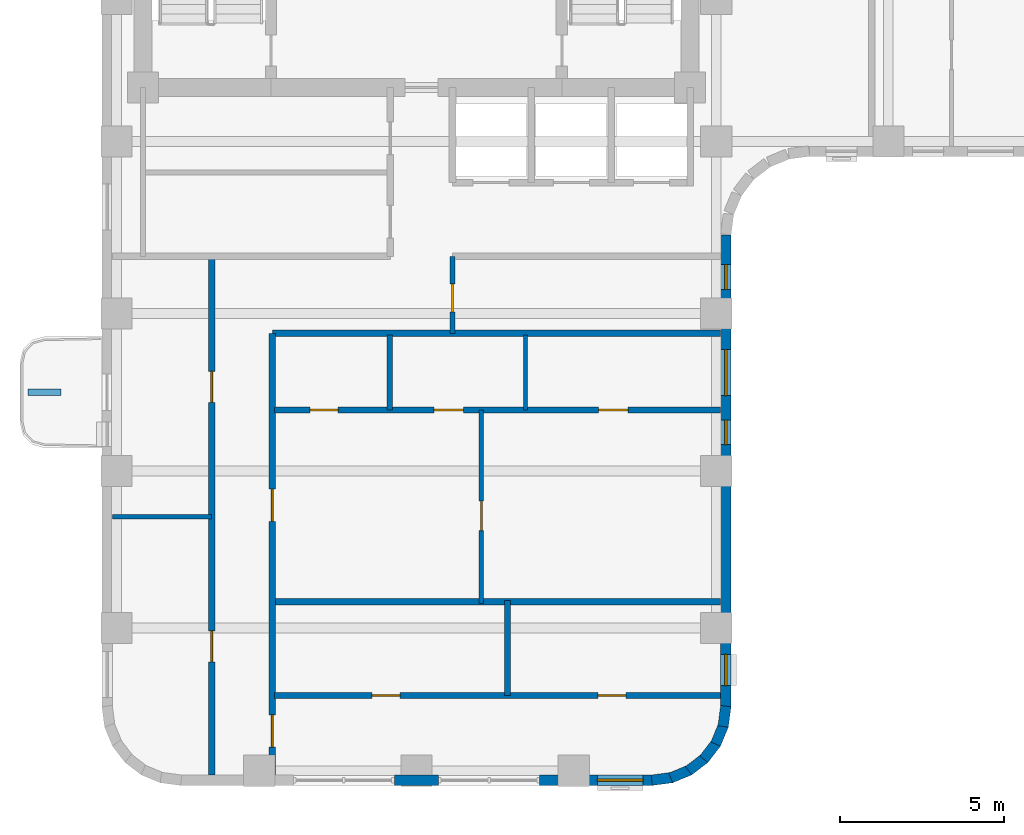
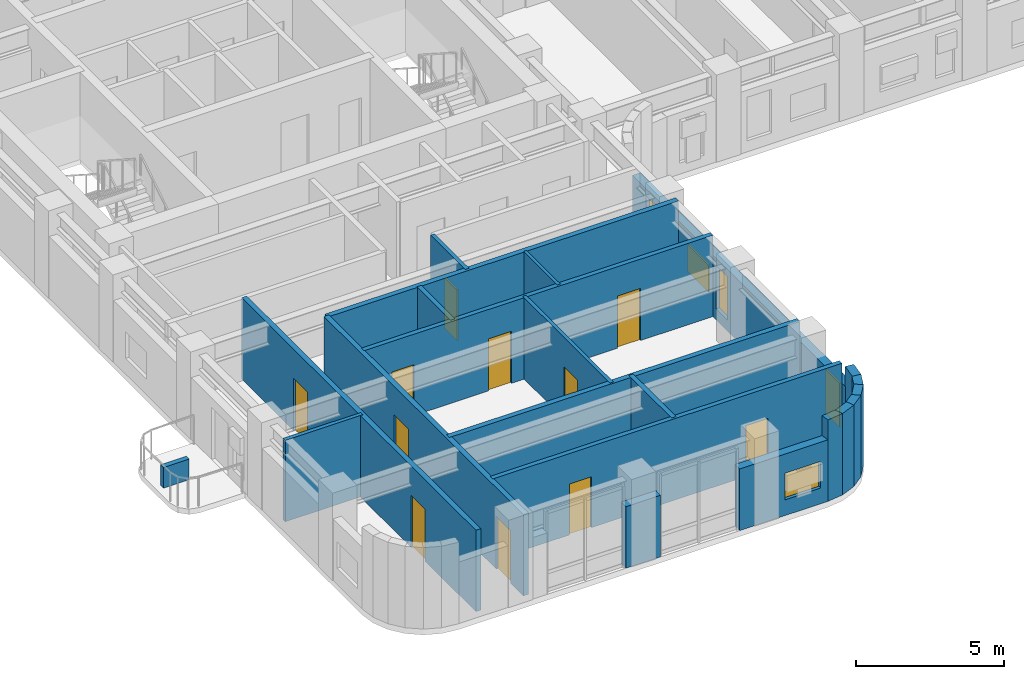
# One storey, part 4 of 11: 22 walls, 11 doors, 5 windows, 16 openings.
"""IFC4 building model written with IfcOpenShell, lengths in metres."""

import ifcopenshell
import ifcopenshell.guid

model = None  # the IFC model being written
_history = None  # IfcOwnerHistory: only IFC2X3 demands one
_inside = {}  # id of a spatial element -> (the spatial element, [elements in it])
_under = {}  # id of a project, library or spatial element -> (it, [spatial elements below it])
_declared = {}  # id of a project -> (the project, [libraries it declares])
_typed = {}  # id of a type object -> (the type object, [elements of that type])
_made_of = {}  # id of a material, layer set ... -> (it, [elements and type objects made of it])


def new_model(schema):
    """Start an empty IFC model of exactly this schema.

    Asked for "IFC4X3", IfcOpenShell would pick the latest addendum, in which some entities
    have other attributes; the version numbers below select the first issue.
    IFC2X3 requires an IfcOwnerHistory on every rooted entity: one is made here for all.
    """
    global model, _history
    if schema == "IFC4X3":
        model = ifcopenshell.file(schema_version=(4, 3, 0, 0))
    else:
        model = ifcopenshell.file(schema=schema)
    _inside.clear()
    _under.clear()
    _declared.clear()
    _typed.clear()
    _made_of.clear()
    _history = None
    if model.schema == "IFC2X3":
        org = make("IfcOrganization", Name="unknown")
        user = make(
            "IfcPersonAndOrganization",
            ThePerson=make("IfcPerson", FamilyName="unknown"),
            TheOrganization=org,
        )
        app = make(
            "IfcApplication",
            ApplicationDeveloper=org,
            Version="unknown",
            ApplicationFullName="unknown",
            ApplicationIdentifier="unknown",
        )
        _history = make(
            "IfcOwnerHistory",
            OwningUser=user,
            OwningApplication=app,
            ChangeAction="ADDED",
            CreationDate=0,
        )
    return model


def make(cls, **values):
    """One entity of the class cls with the attributes given. An attribute that is None is left unset."""
    return model.create_entity(
        cls, **{name: value for name, value in values.items() if value is not None}
    )


def rooted(cls, **values):
    """An entity with a GlobalId (a new one), such as an element, a storey or a relation."""
    return make(cls, GlobalId=ifcopenshell.guid.new(), OwnerHistory=_history, **values)


def si_unit(unit_type, name, prefix=None):
    """IfcSIUnit, for example si_unit("LENGTHUNIT", "METRE", prefix="MILLI")."""
    return make("IfcSIUnit", UnitType=unit_type, Prefix=prefix, Name=name)


def assignment(units):
    """IfcUnitAssignment: the units of a project."""
    return None if units is None else make("IfcUnitAssignment", Units=units)


def point(xyz):
    """IfcCartesianPoint."""
    return None if xyz is None else make("IfcCartesianPoint", Coordinates=xyz)


def direction(xyz):
    """IfcDirection."""
    return None if xyz is None else make("IfcDirection", DirectionRatios=xyz)


def frame(location, z_axis=None, x_axis=None):
    """IfcAxis2Placement3D, a coordinate frame: its origin and axes. An axis left out is left unset."""
    return make(
        "IfcAxis2Placement3D",
        Location=point(location),
        Axis=direction(z_axis),
        RefDirection=direction(x_axis),
    )


def frame_2d(location, x_axis=None):
    """IfcAxis2Placement2D, a coordinate frame in the plane: its origin and x axis."""
    return make(
        "IfcAxis2Placement2D", Location=point(location), RefDirection=direction(x_axis)
    )


def origin():
    """The frame at (0, 0, 0) with its axes left unset."""
    return frame((0.0, 0.0, 0.0))


def place(relative_to, where):
    """IfcLocalPlacement: puts the frame where relative to a parent placement (None: the world)."""
    return make(
        "IfcLocalPlacement", PlacementRelTo=relative_to, RelativePlacement=where
    )


def context(
    kind, dimensions, precision=None, world=None, true_north=None, identifier=None
):
    """IfcGeometricRepresentationContext, for example the 3D "Model" context."""
    return make(
        "IfcGeometricRepresentationContext",
        ContextIdentifier=identifier,
        ContextType=kind,
        CoordinateSpaceDimension=dimensions,
        Precision=precision,
        WorldCoordinateSystem=world,
        TrueNorth=true_north,
    )


def subcontext(parent, identifier, kind, view, scale=None):
    """IfcGeometricRepresentationSubContext, for example "Body" below "Model"."""
    return make(
        "IfcGeometricRepresentationSubContext",
        ContextIdentifier=identifier,
        ContextType=kind,
        ParentContext=parent,
        TargetScale=scale,
        TargetView=view,
    )


def project(units=None, contexts=None):
    """IfcProject with its units and contexts."""
    return rooted(
        "IfcProject",
        Name="project",
        RepresentationContexts=contexts,
        UnitsInContext=assignment(units),
    )


def spatial(cls, under=None, at=None, **own):
    """A site, building, storey or space (cls), placed at a placement, below another one or the project."""
    s = rooted(cls, ObjectPlacement=at, **own)
    if under is not None:
        _under.setdefault(under.id(), (under, []))[1].append(s)
    return s


def profile(cls, at=None, kind="AREA", **sizes):
    """A parametric profile (cls). Its sizes go by their IFC names, for example OverallWidth=200.0."""
    return make(cls, ProfileType=kind, Position=at, **sizes)


def rectangle(**sizes):
    """IfcRectangleProfileDef."""
    return profile("IfcRectangleProfileDef", **sizes)


def extrude(swept, where, along, depth):
    """IfcExtrudedAreaSolid: the profile swept, set in the frame where, extruded along a direction by depth."""
    return make(
        "IfcExtrudedAreaSolid",
        SweptArea=swept,
        Position=where,
        ExtrudedDirection=direction(along),
        Depth=depth,
    )


def shape(context_of_items, identifier, shape_type, items):
    """IfcShapeRepresentation: the items that make up one representation, for example the "Body"."""
    return make(
        "IfcShapeRepresentation",
        ContextOfItems=context_of_items,
        RepresentationIdentifier=identifier,
        RepresentationType=shape_type,
        Items=items,
    )


def material(Name=None, Category=None):
    """IfcMaterial."""
    return make("IfcMaterial", Name=Name, Category=Category)


def layer(
    of_material, thickness, ventilated=None, Name=None, Category=None, Priority=None
):
    """IfcMaterialLayer: one layer of a wall or slab, of a material (None: an air gap)."""
    return make(
        "IfcMaterialLayer",
        Material=of_material,
        LayerThickness=thickness,
        IsVentilated=ventilated,
        Name=Name,
        Category=Category,
        Priority=Priority,
    )


def layer_set(layers, Name=None):
    """IfcMaterialLayerSet."""
    return make("IfcMaterialLayerSet", MaterialLayers=layers, LayerSetName=Name)


def made_of(thing, what):
    """Note that an element or type object is made of a material, layer set ...; save() writes the relation."""
    if what is not None:
        _made_of.setdefault(what.id(), (what, []))[1].append(thing)
    return thing


def type_object(cls, material=None, **own):
    """A type object (cls), such as IfcWallType, which elements share."""
    return made_of(rooted(cls, **own), material)


def element(
    cls,
    number,
    at=None,
    inside=None,
    cuts=None,
    type_object=None,
    material=None,
    context=None,
    identifier="Body",
    shape_type=None,
    held_by="IfcProductDefinitionShape",
    body=None,
    shapes=None,
    **own,
):
    """One element of the class cls, such as IfcWall. Its Tag is "e" and its number.

    at: its placement. inside: the storey or other place that contains it. cuts: it is an
    opening in that element (IfcRelVoidsElement). A single representation is given by context,
    identifier, shape_type and body (its items); several are given by shapes. held_by: the class
    of the entity that holds the representations. save() writes the other relations.
    """
    e = rooted(cls, Tag="e%d" % number, ObjectPlacement=at, **own)
    if body is not None:
        shapes = [shape(context, identifier, shape_type, body)]
    if shapes is not None:
        e.Representation = make(held_by, Representations=shapes)
    if inside is not None:
        _inside.setdefault(inside.id(), (inside, []))[1].append(e)
    if cuts is not None:
        rooted(
            "IfcRelVoidsElement", RelatingBuildingElement=cuts, RelatedOpeningElement=e
        )
    if type_object is not None:
        _typed.setdefault(type_object.id(), (type_object, []))[1].append(e)
    return made_of(e, material)


def fill(opening, filler):
    """IfcRelFillsElement: the door or window that sits in an opening."""
    return rooted(
        "IfcRelFillsElement",
        RelatingOpeningElement=opening,
        RelatedBuildingElement=filler,
    )


def aggregate(whole, parts):
    """IfcRelAggregates: a whole, such as a stair, and the parts it consists of."""
    return rooted("IfcRelAggregates", RelatingObject=whole, RelatedObjects=parts)


def save(model, path):
    """Write the relations noted so far, then the file.

    IfcRelAggregates (storeys below a building ...), IfcRelContainedInSpatialStructure (elements
    in a storey), IfcRelDefinesByType, IfcRelAssociatesMaterial and IfcRelDeclares: one each for
    every whole, place, type object, material and project.
    """
    for whole, parts in _under.values():
        aggregate(whole, parts)
    for where, things in _inside.values():
        rooted(
            "IfcRelContainedInSpatialStructure",
            RelatedElements=things,
            RelatingStructure=where,
        )
    for kind, things in _typed.values():
        rooted("IfcRelDefinesByType", RelatedObjects=things, RelatingType=kind)
    for what, things in _made_of.values():
        rooted("IfcRelAssociatesMaterial", RelatedObjects=things, RelatingMaterial=what)
    for by, libraries in _declared.values():
        rooted("IfcRelDeclares", RelatingContext=by, RelatedDefinitions=libraries)
    model.write(path)


model = new_model("IFC4")

# Units and contexts
model_context = context("Model", 3, precision=1e-05, world=origin(), true_north=direction((0.0, 1.0)))
body_context = subcontext(model_context, "Body", "Model", "MODEL_VIEW")
ifc_project = project(units=[si_unit("LENGTHUNIT", "METRE"), si_unit("AREAUNIT", "SQUARE_METRE"), si_unit("VOLUMEUNIT", "CUBIC_METRE"), si_unit("PLANEANGLEUNIT", "RADIAN"), si_unit("MASSUNIT", "GRAM", prefix="KILO")], contexts=[model_context])

# Site, building, storey
site_placement = place(None, origin())
site = spatial("IfcSite", under=ifc_project, at=site_placement, CompositionType="ELEMENT")
building_placement = place(site_placement, origin())
building = spatial("IfcBuilding", under=site, at=building_placement, Name="Orvandelia Arch Residences", CompositionType="ELEMENT")
storey_placement = place(building_placement, frame((0.0, 0.0, 146.800048828125)))
storey = spatial("IfcBuildingStorey", under=building, at=storey_placement, Name="L38", CompositionType="ELEMENT", Elevation=146.800048828125)

# Wall, openings, doors
ifc_material_1 = material(Name="Fire-Rated Corridor Partition")
ifc_layer_1 = layer(ifc_material_1, 0.199951171875, Name="Fire-Rated Corridor Partition")
ifc_layer_set_1 = layer_set([ifc_layer_1], Name="Fire-Rated Corridor Partition")
wall_type_1 = type_object("IfcWallType", Name="WL-CORR-200", PredefinedType="PARTITIONING", material=ifc_layer_set_1)
wall_1_placement = place(storey_placement, frame((8.14990234375, 9.919921875, 0.0), z_axis=(0.0, 0.0, 1.0), x_axis=(0.0, 1.0, 0.0)))
wall_1 = element("IfcWall", 1, at=wall_1_placement, inside=storey, type_object=wall_type_1, Name="Interior Partition Wall WL-L38-WC-W", PredefinedType="PARTITIONING", context=body_context, shape_type="SweptSolid", body=[
    extrude(rectangle(XDim=15.830078125, YDim=0.199951171875, at=frame_2d((7.9150390625, 0.0))), origin(), (0.0, 0.0, 1.0), 3.35986328125),
])
opening_1_placement = place(wall_1_placement, frame((3.449951171875, 0.0, 0.0)))
opening_1 = element("IfcOpeningElement", 2, at=opening_1_placement, cuts=wall_1, Name="Opening D2", PredefinedType="OPENING", context=body_context, shape_type="SweptSolid", body=[
    extrude(rectangle(XDim=0.949951171875, YDim=2.14990234375, at=frame_2d((0.47509765625, 1.074951171875))), frame((0.0, 0.10986328125, 0.0), z_axis=(0.0, -1.0, 0.0), x_axis=(1.0, 0.0, 0.0)), (0.0, 0.0, 1.0), 0.219970703125),
])
opening_2_placement = place(wall_1_placement, frame((11.3701171875, 0.0, 0.0)))
opening_2 = element("IfcOpeningElement", 3, at=opening_2_placement, cuts=wall_1, Name="Opening D2", PredefinedType="OPENING", context=body_context, shape_type="SweptSolid", body=[
    extrude(rectangle(XDim=0.949951171875, YDim=2.14990234375, at=frame_2d((0.47509765625, 1.074951171875))), frame((0.0, 0.10986328125, 0.0), z_axis=(0.0, -1.0, 0.0), x_axis=(1.0, 0.0, 0.0)), (0.0, 0.0, 1.0), 0.219970703125),
])
ifc_material_2 = material(Name="Solid-Core Timber Interior Fire Door", Category="wood")
door_type_1 = type_object("IfcDoorType", Name="DR-APT-950", OperationType="NOTDEFINED", PredefinedType="DOOR", material=ifc_material_2)
door_1_placement = place(opening_1_placement, origin())
door_1 = element("IfcDoor", 4, at=door_1_placement, inside=storey, type_object=door_type_1, Name="DR-L38-WGRM-1", OperationType="SINGLE_SWING_LEFT", OverallHeight=2.14990234375, OverallWidth=0.949951171875, PredefinedType="DOOR", context=body_context, shape_type="SweptSolid", body=[
    extrude(rectangle(XDim=0.949951171875, YDim=2.14990234375, at=frame_2d((0.47509765625, 1.074951171875))), frame((0.0, 0.02490234375, 0.0), z_axis=(0.0, -1.0, 0.0), x_axis=(1.0, 0.0, 0.0)), (0.0, 0.0, 1.0), 0.050048828125),
])
fill(opening_1, door_1)
door_2_placement = place(opening_2_placement, origin())
door_2 = element("IfcDoor", 5, at=door_2_placement, inside=storey, type_object=door_type_1, Name="DR-L38-WGRM-2", OperationType="SINGLE_SWING_RIGHT", OverallHeight=2.14990234375, OverallWidth=0.949951171875, PredefinedType="DOOR", context=body_context, shape_type="SweptSolid", body=[
    extrude(rectangle(XDim=0.949951171875, YDim=2.14990234375, at=frame_2d((0.47509765625, 1.074951171875))), frame((0.0, 0.02490234375, 0.0), z_axis=(0.0, -1.0, 0.0), x_axis=(1.0, 0.0, 0.0)), (0.0, 0.0, 1.0), 0.050048828125),
])
fill(opening_2, door_2)

wall_2_placement = place(storey_placement, frame((10.0, 9.919921875, 0.0), z_axis=(0.0, 0.0, 1.0), x_axis=(0.0, 1.0, 0.0)))
wall_2 = element("IfcWall", 6, at=wall_2_placement, inside=storey, type_object=wall_type_1, Name="Interior Partition Wall WL-L38-WC-E", PredefinedType="PARTITIONING", context=body_context, shape_type="SweptSolid", body=[
    extrude(rectangle(XDim=13.47998046875, YDim=0.199951171875, at=frame_2d((6.739990234375, 0.0))), origin(), (0.0, 0.0, 1.0), 3.35986328125),
])
opening_3_placement = place(wall_2_placement, frame((0.85107421875, 0.0, 0.0)))
opening_3 = element("IfcOpeningElement", 7, at=opening_3_placement, cuts=wall_2, Name="Opening D1", PredefinedType="OPENING", context=body_context, shape_type="SweptSolid", body=[
    extrude(rectangle(XDim=0.97998046875, YDim=2.179931640625, at=frame_2d((0.489990234375, 1.08984375))), frame((0.0, 0.10986328125, 0.0), z_axis=(0.0, -1.0, 0.0), x_axis=(1.0, 0.0, 0.0)), (0.0, 0.0, 1.0), 0.219970703125),
])
opening_4_placement = place(wall_2_placement, frame((7.739990234375, 0.0, 0.0)))
opening_4 = element("IfcOpeningElement", 8, at=opening_4_placement, cuts=wall_2, Name="Opening D1", PredefinedType="OPENING", context=body_context, shape_type="SweptSolid", body=[
    extrude(rectangle(XDim=0.97998046875, YDim=2.179931640625, at=frame_2d((0.489990234375, 1.08984375))), frame((0.0, 0.10986328125, 0.0), z_axis=(0.0, -1.0, 0.0), x_axis=(1.0, 0.0, 0.0)), (0.0, 0.0, 1.0), 0.219970703125),
])
ifc_material_3 = material(Name="Solid-Core Timber Acoustic Fire Door", Category="wood")
door_type_2 = type_object("IfcDoorType", Name="DR-ENT-980", OperationType="NOTDEFINED", PredefinedType="DOOR", material=ifc_material_3)
door_3_placement = place(opening_3_placement, origin())
door_3 = element("IfcDoor", 9, at=door_3_placement, inside=storey, type_object=door_type_2, Name="Unit L38-01 Entrance Door", OperationType="SINGLE_SWING_LEFT", OverallHeight=2.179931640625, OverallWidth=0.97998046875, PredefinedType="DOOR", context=body_context, shape_type="SweptSolid", body=[
    extrude(rectangle(XDim=0.97998046875, YDim=2.179931640625, at=frame_2d((0.489990234375, 1.08984375))), frame((0.0, 0.02490234375, 0.0), z_axis=(0.0, -1.0, 0.0), x_axis=(1.0, 0.0, 0.0)), (0.0, 0.0, 1.0), 0.050048828125),
])
fill(opening_3, door_3)
door_4_placement = place(opening_4_placement, origin())
door_4 = element("IfcDoor", 10, at=door_4_placement, inside=storey, type_object=door_type_2, Name="Unit L38-02 Entrance Door", OperationType="SINGLE_SWING_RIGHT", OverallHeight=2.179931640625, OverallWidth=0.97998046875, PredefinedType="DOOR", context=body_context, shape_type="SweptSolid", body=[
    extrude(rectangle(XDim=0.97998046875, YDim=2.179931640625, at=frame_2d((0.489990234375, 1.08984375))), frame((0.0, 0.02490234375, 0.0), z_axis=(0.0, -1.0, 0.0), x_axis=(1.0, 0.0, 0.0)), (0.0, 0.0, 1.0), 0.050048828125),
])
fill(opening_4, door_4)

# Walls
wall_3_placement = place(storey_placement, frame((10.0, 23.39990234375, 0.0), z_axis=(0.0, 0.0, 1.0), x_axis=(1.0, 0.0, 0.0)))
element("IfcWall", 11, at=wall_3_placement, inside=storey, type_object=wall_type_1, Name="Interior Partition Wall WL-L38-WLNK-S", PredefinedType="PARTITIONING", context=body_context, shape_type="SweptSolid", body=[
    extrude(rectangle(XDim=13.679931640625, YDim=0.199951171875, at=frame_2d((6.83984375, 0.0))), origin(), (0.0, 0.0, 1.0), 3.35986328125),
])
ifc_material_4 = material(Name="Concrete C40/50", Category="concrete")
ifc_layer_2 = layer(ifc_material_4, 0.199951171875, Name="Concrete C40/50", Category="concrete")
ifc_layer_set_2 = layer_set([ifc_layer_2], Name="Concrete C40/50")
wall_type_2 = type_object("IfcWallType", Name="WL-DEM-200", PredefinedType="SOLIDWALL", material=ifc_layer_set_2)
wall_4_placement = place(storey_placement, frame((10.0, 15.199951171875, 0.0), z_axis=(0.0, 0.0, 1.0), x_axis=(1.0, 0.0, 0.0)))
element("IfcWall", 12, at=wall_4_placement, inside=storey, type_object=wall_type_2, Name="Interior Partition Wall WL-L38-DEM-WR-152", PredefinedType="SOLIDWALL", context=body_context, shape_type="SweptSolid", body=[
    extrude(rectangle(XDim=13.679931640625, YDim=0.199951171875, at=frame_2d((6.83984375, 0.0))), origin(), (0.0, 0.0, 1.0), 3.35986328125),
])

# Wall, openings, windows
ifc_material_5 = material(Name="Precast concrete C40/50", Category="concrete")
ifc_layer_3 = layer(ifc_material_5, 0.320068359375, Name="Precast concrete C40/50", Category="concrete")
ifc_layer_set_3 = layer_set([ifc_layer_3], Name="Precast concrete C40/50")
wall_type_3 = type_object("IfcWallType", Name="WL-EXT-STONE-320", PredefinedType="STANDARD", material=ifc_layer_set_3)
wall_5_placement = place(storey_placement, frame((23.840087890625, 26.39990234375, 0.0), z_axis=(0.0, 0.0, 1.0), x_axis=(0.0, -1.0, 0.0)))
wall_5 = element("IfcWall", 13, at=wall_5_placement, inside=storey, type_object=wall_type_3, Name="Coral-Limestone Precast Facade Wall L38-028", PredefinedType="STANDARD", context=body_context, shape_type="SweptSolid", body=[
    extrude(rectangle(XDim=14.39990234375, YDim=0.320068359375, at=frame_2d((7.199951171875, 0.0))), origin(), (0.0, 0.0, 1.0), 2.5400390625),
])
opening_5_placement = place(wall_5_placement, frame((3.5, 0.0, 0.64990234375)))
opening_5 = element("IfcOpeningElement", 14, at=opening_5_placement, cuts=wall_5, Name="Opening W10", PredefinedType="OPENING", context=body_context, shape_type="SweptSolid", body=[
    extrude(rectangle(XDim=1.39990234375, YDim=1.10009765625, at=frame_2d((0.699951171875, 0.550048828125))), frame((0.0, 0.169921875, 0.0), z_axis=(0.0, -1.0, 0.0), x_axis=(1.0, 0.0, 0.0)), (0.0, 0.0, 1.0), 0.340087890625),
])
opening_6_placement = place(wall_5_placement, frame((12.801513671875, 0.0, 0.449951171875)))
opening_6 = element("IfcOpeningElement", 15, at=opening_6_placement, cuts=wall_5, Name="Opening W4", PredefinedType="OPENING", context=body_context, shape_type="SweptSolid", body=[
    extrude(rectangle(XDim=0.949951171875, YDim=1.800048828125, at=frame_2d((0.47509765625, 0.89990234375))), frame((0.0, 0.169921875, 0.0), z_axis=(0.0, -1.0, 0.0), x_axis=(1.0, 0.0, 0.0)), (0.0, 0.0, 1.0), 0.340087890625),
])
opening_7_placement = place(wall_5_placement, frame((5.6474609375, 0.0, 0.449951171875)))
opening_7 = element("IfcOpeningElement", 16, at=opening_7_placement, cuts=wall_5, Name="Opening W11", PredefinedType="OPENING", context=body_context, shape_type="SweptSolid", body=[
    extrude(rectangle(XDim=0.75, YDim=1.800048828125, at=frame_2d((0.375, 0.89990234375))), frame((0.0, 0.169921875, 0.0), z_axis=(0.0, -1.0, 0.0), x_axis=(1.0, 0.0, 0.0)), (0.0, 0.0, 1.0), 0.340087890625),
])
opening_8_placement = place(wall_5_placement, frame((0.907470703125, 0.0, 0.449951171875)))
opening_8 = element("IfcOpeningElement", 17, at=opening_8_placement, cuts=wall_5, Name="Opening W11", PredefinedType="OPENING", context=body_context, shape_type="SweptSolid", body=[
    extrude(rectangle(XDim=0.75, YDim=1.800048828125, at=frame_2d((0.375, 0.89990234375))), frame((0.0, 0.169921875, 0.0), z_axis=(0.0, -1.0, 0.0), x_axis=(1.0, 0.0, 0.0)), (0.0, 0.0, 1.0), 0.340087890625),
])
ifc_material_6 = material(Name="Tempered Low-E Insulated Glazing", Category="glass")
window_type_1 = type_object("IfcWindowType", Name="WIN-BED-0750x1800", PartitioningType="SINGLE_PANEL", PredefinedType="WINDOW", material=ifc_material_6)
window_1_placement = place(opening_7_placement, origin())
window_1 = element("IfcWindow", 18, at=window_1_placement, inside=storey, type_object=window_type_1, Name="Recessed Punched Window L38-016", OverallHeight=1.800048828125, OverallWidth=0.75, PartitioningType="SINGLE_PANEL", PredefinedType="WINDOW", context=body_context, shape_type="SweptSolid", body=[
    extrude(rectangle(XDim=0.75, YDim=1.800048828125, at=frame_2d((0.375, 0.89990234375))), frame((0.0, 0.030029296875, 0.0), z_axis=(0.0, -1.0, 0.0), x_axis=(1.0, 0.0, 0.0)), (0.0, 0.0, 1.0), 0.06005859375),
])
fill(opening_7, window_1)
window_2_placement = place(opening_8_placement, origin())
window_2 = element("IfcWindow", 19, at=window_2_placement, inside=storey, type_object=window_type_1, Name="Recessed Punched Window L38-017", OverallHeight=1.800048828125, OverallWidth=0.75, PartitioningType="SINGLE_PANEL", PredefinedType="WINDOW", context=body_context, shape_type="SweptSolid", body=[
    extrude(rectangle(XDim=0.75, YDim=1.800048828125, at=frame_2d((0.375, 0.89990234375))), frame((0.0, 0.030029296875, 0.0), z_axis=(0.0, -1.0, 0.0), x_axis=(1.0, 0.0, 0.0)), (0.0, 0.0, 1.0), 0.06005859375),
])
fill(opening_8, window_2)
window_type_2 = type_object("IfcWindowType", Name="WIN-CLR-1400x1100", PartitioningType="SINGLE_PANEL", PredefinedType="WINDOW", material=ifc_material_6)
window_3_placement = place(opening_5_placement, origin())
window_3 = element("IfcWindow", 20, at=window_3_placement, inside=storey, type_object=window_type_2, Name="Recessed Punched Window L38-014", OverallHeight=1.10009765625, OverallWidth=1.39990234375, PartitioningType="SINGLE_PANEL", PredefinedType="WINDOW", context=body_context, shape_type="SweptSolid", body=[
    extrude(rectangle(XDim=1.39990234375, YDim=1.10009765625, at=frame_2d((0.699951171875, 0.550048828125))), frame((0.0, 0.030029296875, 0.0), z_axis=(0.0, -1.0, 0.0), x_axis=(1.0, 0.0, 0.0)), (0.0, 0.0, 1.0), 0.06005859375),
])
fill(opening_5, window_3)
window_type_3 = type_object("IfcWindowType", Name="WIN-RES-0950x1800", PartitioningType="SINGLE_PANEL", PredefinedType="WINDOW", material=ifc_material_6)
window_4_placement = place(opening_6_placement, origin())
window_4 = element("IfcWindow", 21, at=window_4_placement, inside=storey, type_object=window_type_3, Name="Recessed Punched Window L38-015", OverallHeight=1.800048828125, OverallWidth=0.949951171875, PartitioningType="SINGLE_PANEL", PredefinedType="WINDOW", context=body_context, shape_type="SweptSolid", body=[
    extrude(rectangle(XDim=0.949951171875, YDim=1.800048828125, at=frame_2d((0.47509765625, 0.89990234375))), frame((0.0, 0.030029296875, 0.0), z_axis=(0.0, -1.0, 0.0), x_axis=(1.0, 0.0, 0.0)), (0.0, 0.0, 1.0), 0.06005859375),
])
fill(opening_6, window_4)

# Walls
wall_6_placement = place(storey_placement, frame((23.84130859375, 12.02099609375, 0.0), z_axis=(0.0, 0.0, 1.0), x_axis=(-0.130504898859, -0.991447664465, 0.0)))
element("IfcWall", 22, at=wall_6_placement, inside=storey, type_object=wall_type_3, Name="Coral-Limestone Precast Facade Wall L38-029", PredefinedType="STANDARD", context=body_context, shape_type="SweptSolid", body=[
    extrude(rectangle(XDim=0.626708984375, YDim=0.320068359375, at=frame_2d((0.3134765625, 0.0))), origin(), (0.0, 0.0, 1.0), 3.35986328125),
])
for number, where, z_axis, x_axis, name in (
    (23, (23.7705078125, 11.43994140625, 0.0), (0.0, 0.0, 1.0), (-0.382650053678, -0.92389335771, 0.0), "Coral-Limestone Precast Facade Wall L38-030"),
    (24, (23.551513671875, 10.8974609375, 0.0), (0.0, 0.0, 1.0), (-0.608693302629, -0.793405610854, 0.0), "Coral-Limestone Precast Facade Wall L38-031"),
    (25, (23.19970703125, 10.4296875, 0.0), (0.0, 0.0, 1.0), (-0.793405610854, -0.608693302629, 0.0), "Coral-Limestone Precast Facade Wall L38-032"),
    (26, (22.73876953125, 10.0693359375, 0.0), (0.0, 0.0, 1.0), (-0.92389335771, -0.382650053678, 0.0), "Coral-Limestone Precast Facade Wall L38-033"),
    (27, (22.2001953125, 9.84033203125, 0.0), (0.0, 0.0, 1.0), (-0.9914410257, -0.130555323746, 0.0), "Coral-Limestone Precast Facade Wall L38-034"),
):
    element("IfcWall", number, at=place(storey_placement, frame(where, z_axis=z_axis, x_axis=x_axis)), inside=storey, type_object=wall_type_3, Name=name, PredefinedType="STANDARD", context=body_context, shape_type="SweptSolid", body=[
        extrude(rectangle(XDim=0.62646484375, YDim=0.320068359375, at=frame_2d((0.313232421875, 0.0))), origin(), (0.0, 0.0, 1.0), 3.35986328125),
    ])

# Wall, opening, window
wall_7_placement = place(storey_placement, frame((21.60009765625, 9.760009765625, 0.0), z_axis=(0.0, 0.0, 1.0), x_axis=(-1.0, 0.0, 0.0)))
wall_7 = element("IfcWall", 28, at=wall_7_placement, inside=storey, type_object=wall_type_3, Name="Coral-Limestone Precast Facade Wall L38-035", PredefinedType="STANDARD", context=body_context, shape_type="SweptSolid", body=[
    extrude(rectangle(XDim=3.440185546875, YDim=0.320068359375, at=frame_2d((1.72021484375, 0.0))), origin(), (0.0, 0.0, 1.0), 2.5400390625),
])
opening_9_placement = place(wall_7_placement, frame((0.282470703125, 0.0, 0.64990234375)))
opening_9 = element("IfcOpeningElement", 29, at=opening_9_placement, cuts=wall_7, Name="Opening W10", PredefinedType="OPENING", context=body_context, shape_type="SweptSolid", body=[
    extrude(rectangle(XDim=1.39990234375, YDim=1.10009765625, at=frame_2d((0.699951171875, 0.550048828125))), frame((0.0, 0.169921875, 0.0), z_axis=(0.0, -1.0, 0.0), x_axis=(1.0, 0.0, 0.0)), (0.0, 0.0, 1.0), 0.340087890625),
])
window_5_placement = place(opening_9_placement, origin())
window_5 = element("IfcWindow", 30, at=window_5_placement, inside=storey, type_object=window_type_2, Name="Recessed Punched Window L38-018", OverallHeight=1.10009765625, OverallWidth=1.39990234375, PartitioningType="SINGLE_PANEL", PredefinedType="WINDOW", context=body_context, shape_type="SweptSolid", body=[
    extrude(rectangle(XDim=1.39990234375, YDim=1.10009765625, at=frame_2d((0.699951171875, 0.550048828125))), frame((0.0, 0.030029296875, 0.0), z_axis=(0.0, -1.0, 0.0), x_axis=(1.0, 0.0, 0.0)), (0.0, 0.0, 1.0), 0.06005859375),
])
fill(opening_9, window_5)

# Walls
wall_8_placement = place(storey_placement, frame((15.074951171875, 9.760009765625, 0.0), z_axis=(0.0, 0.0, 1.0), x_axis=(-1.0, 0.0, 0.0)))
element("IfcWall", 31, at=wall_8_placement, inside=storey, type_object=wall_type_3, Name="Coral-Limestone Precast Facade Wall L38-036", PredefinedType="STANDARD", context=body_context, shape_type="SweptSolid", body=[
    extrude(rectangle(XDim=1.349853515625, YDim=0.320068359375, at=frame_2d((0.6748046875, 0.0))), origin(), (0.0, 0.0, 1.0), 2.5400390625),
])
ifc_material_7 = material(Name="Lightweight Gypsum Stud Partition")
ifc_layer_4 = layer(ifc_material_7, 0.1201171875, Name="Lightweight Gypsum Stud Partition")
ifc_layer_set_4 = layer_set([ifc_layer_4], Name="Lightweight Gypsum Stud Partition")
wall_type_4 = type_object("IfcWallType", Name="WL-PART-120", PredefinedType="PARTITIONING", material=ifc_layer_set_4)
wall_9_placement = place(storey_placement, frame((17.720947265625, 21.06005859375, 0.0), z_axis=(0.0, 0.0, 1.0), x_axis=(0.0, 1.0, 0.0)))
element("IfcWall", 32, at=wall_9_placement, inside=storey, type_object=wall_type_4, Name="Interior Partition Wall WL-L38-U02-V2", PredefinedType="PARTITIONING", context=body_context, shape_type="SweptSolid", body=[
    extrude(rectangle(XDim=2.280029296875, YDim=0.1201171875, at=frame_2d((1.14013671875, 0.0))), origin(), (0.0, 0.0, 1.0), 3.35986328125),
])

# Wall, opening, door
ifc_material_8 = material(Name="Double-Layer Acoustic Gypsum Partition")
ifc_layer_5 = layer(ifc_material_8, 0.135009765625, Name="Double-Layer Acoustic Gypsum Partition")
ifc_layer_set_5 = layer_set([ifc_layer_5], Name="Double-Layer Acoustic Gypsum Partition")
wall_type_5 = type_object("IfcWallType", Name="WL-PART-135", PredefinedType="PARTITIONING", material=ifc_layer_set_5)
wall_10_placement = place(storey_placement, frame((16.37890625, 15.159912109375, 0.0), z_axis=(0.0, 0.0, 1.0), x_axis=(0.0, 1.0, 0.0)))
wall_10 = element("IfcWall", 33, at=wall_10_placement, inside=storey, type_object=wall_type_5, Name="Interior Partition Wall WL-L38-U02-DIN", PredefinedType="PARTITIONING", context=body_context, shape_type="SweptSolid", body=[
    extrude(rectangle(XDim=5.900146484375, YDim=0.135009765625, at=frame_2d((2.9501953125, 0.0))), origin(), (0.0, 0.0, 1.0), 3.35986328125),
])
opening_10_placement = place(wall_10_placement, frame((2.214111328125, 0.0, 0.0)))
opening_10 = element("IfcOpeningElement", 34, at=opening_10_placement, cuts=wall_10, Name="Opening D3", PredefinedType="OPENING", context=body_context, shape_type="SweptSolid", body=[
    extrude(rectangle(XDim=0.89990234375, YDim=2.14990234375, at=frame_2d((0.449951171875, 1.074951171875))), frame((0.0, 0.07763671875, 0.0), z_axis=(0.0, -1.0, 0.0), x_axis=(1.0, 0.0, 0.0)), (0.0, 0.0, 1.0), 0.155029296875),
])
ifc_material_9 = material(Name="Engineered Timber Flush Door", Category="wood")
door_type_3 = type_object("IfcDoorType", Name="DR-INT-900", OperationType="NOTDEFINED", PredefinedType="DOOR", material=ifc_material_9)
door_5_placement = place(opening_10_placement, origin())
door_5 = element("IfcDoor", 35, at=door_5_placement, inside=storey, type_object=door_type_3, Name="DR-L38-U02-DIN", OperationType="SINGLE_SWING_LEFT", OverallHeight=2.14990234375, OverallWidth=0.89990234375, PredefinedType="DOOR", context=body_context, shape_type="SweptSolid", body=[
    extrude(rectangle(XDim=0.89990234375, YDim=2.14990234375, at=frame_2d((0.449951171875, 1.074951171875))), frame((0.0, 0.02490234375, 0.0), z_axis=(0.0, -1.0, 0.0), x_axis=(1.0, 0.0, 0.0)), (0.0, 0.0, 1.0), 0.050048828125),
])
fill(opening_10, door_5)

ifc_material_10 = material(Name="Acoustic Gypsum Stud Partition")
ifc_layer_6 = layer(ifc_material_10, 0.14990234375, Name="Acoustic Gypsum Stud Partition")
ifc_layer_set_6 = layer_set([ifc_layer_6], Name="Acoustic Gypsum Stud Partition")
wall_type_6 = type_object("IfcWallType", Name="WL-PART-150", PredefinedType="PARTITIONING", material=ifc_layer_set_6)
wall_11_placement = place(storey_placement, frame((15.5, 23.39990234375, 0.0), z_axis=(0.0, 0.0, 1.0), x_axis=(0.0, 1.0, 0.0)))
wall_11 = element("IfcWall", 36, at=wall_11_placement, inside=storey, type_object=wall_type_6, Name="Interior Partition Wall WL-L38-WLNK-E", PredefinedType="PARTITIONING", context=body_context, shape_type="SweptSolid", body=[
    extrude(rectangle(XDim=2.35009765625, YDim=0.14990234375, at=frame_2d((1.175048828125, 0.0))), origin(), (0.0, 0.0, 1.0), 3.35986328125),
])
opening_11_placement = place(wall_11_placement, frame((0.64990234375, 0.0, 0.0)))
opening_11 = element("IfcOpeningElement", 37, at=opening_11_placement, cuts=wall_11, Name="Opening D4", PredefinedType="OPENING", context=body_context, shape_type="SweptSolid", body=[
    extrude(rectangle(XDim=0.860107421875, YDim=2.10009765625, at=frame_2d((0.43017578125, 1.050048828125))), frame((0.0, 0.0849609375, 0.0), z_axis=(0.0, -1.0, 0.0), x_axis=(1.0, 0.0, 0.0)), (0.0, 0.0, 1.0), 0.169921875),
])
ifc_material_11 = material(Name="Moisture-Sealed Timber Bathroom Door", Category="wood")
door_type_4 = type_object("IfcDoorType", Name="DR-WET-900", OperationType="NOTDEFINED", PredefinedType="DOOR", material=ifc_material_11)
door_6_placement = place(opening_11_placement, origin())
door_6 = element("IfcDoor", 38, at=door_6_placement, inside=storey, type_object=door_type_4, Name="DR-L38-WLNKST", OperationType="SINGLE_SWING_RIGHT", OverallHeight=2.10009765625, OverallWidth=0.860107421875, PredefinedType="DOOR", context=body_context, shape_type="SweptSolid", body=[
    extrude(rectangle(XDim=0.860107421875, YDim=2.10009765625, at=frame_2d((0.43017578125, 1.050048828125))), frame((0.0, 0.02490234375, 0.0), z_axis=(0.0, -1.0, 0.0), x_axis=(1.0, 0.0, 0.0)), (0.0, 0.0, 1.0), 0.050048828125),
])
fill(opening_11, door_6)

# Walls
wall_12_placement = place(storey_placement, frame((5.1201171875, 17.800048828125, 0.0), z_axis=(0.0, 0.0, 1.0), x_axis=(1.0, 0.0, 0.0)))
element("IfcWall", 39, at=wall_12_placement, inside=storey, type_object=wall_type_6, Name="Interior Partition Wall WL-L38-WGDIV-1", PredefinedType="PARTITIONING", context=body_context, shape_type="SweptSolid", body=[
    extrude(rectangle(XDim=3.02978515625, YDim=0.14990234375, at=frame_2d((1.514892578125, 0.0))), origin(), (0.0, 0.0, 1.0), 3.35986328125),
])
ifc_layer_7 = layer(ifc_material_5, 0.199951171875, Name="Precast concrete C40/50", Category="concrete")
ifc_layer_set_7 = layer_set([ifc_layer_7], Name="Precast concrete C40/50")
wall_type_7 = type_object("IfcWallType", Name="WL-PLANTER-200", PredefinedType="MOVABLE", material=ifc_layer_set_7)
wall_13_placement = place(storey_placement, frame((2.550048828125, 21.60009765625, 0.0), z_axis=(0.0, 0.0, 1.0), x_axis=(1.0, 0.0, 0.0)))
element("IfcWall", 40, at=wall_13_placement, inside=storey, type_object=wall_type_7, Name="Balcony Precast Tree Planter BAL-L38-W1", PredefinedType="MOVABLE", context=body_context, shape_type="SweptSolid", body=[
    extrude(rectangle(XDim=1.0, YDim=0.199951171875, at=frame_2d((0.5, 0.0))), origin(), (0.0, 0.0, 1.0), 0.849853515625),
])

# Wall, openings, doors
ifc_material_12 = material(Name="Moisture-Resistant Plumbing Wall")
ifc_layer_8 = layer(ifc_material_12, 0.179931640625, Name="Moisture-Resistant Plumbing Wall")
ifc_layer_set_8 = layer_set([ifc_layer_8], Name="Moisture-Resistant Plumbing Wall")
wall_type_8 = type_object("IfcWallType", Name="WL-WET-180", PredefinedType="PLUMBINGWALL", material=ifc_layer_set_8)
wall_14_placement = place(storey_placement, frame((10.06005859375, 12.342041015625, 0.0), z_axis=(0.0, 0.0, 1.0), x_axis=(1.0, 0.0, 0.0)))
wall_14 = element("IfcWall", 41, at=wall_14_placement, inside=storey, type_object=wall_type_8, Name="Interior Partition Wall WL-L38-U01-HZ", PredefinedType="PLUMBINGWALL", context=body_context, shape_type="SweptSolid", body=[
    extrude(rectangle(XDim=13.619873046875, YDim=0.179931640625, at=frame_2d((6.81005859375, 0.0))), origin(), (0.0, 0.0, 1.0), 3.35986328125),
])
opening_12_placement = place(wall_14_placement, frame((2.98193359375, 0.0, 0.0)))
opening_12 = element("IfcOpeningElement", 42, at=opening_12_placement, cuts=wall_14, Name="Opening D4", PredefinedType="OPENING", context=body_context, shape_type="SweptSolid", body=[
    extrude(rectangle(XDim=0.860107421875, YDim=2.10009765625, at=frame_2d((0.43017578125, 1.050048828125))), frame((0.0, 0.10009765625, 0.0), z_axis=(0.0, -1.0, 0.0), x_axis=(1.0, 0.0, 0.0)), (0.0, 0.0, 1.0), 0.199951171875),
])
opening_13_placement = place(wall_14_placement, frame((9.8720703125, 0.0, 0.0)))
opening_13 = element("IfcOpeningElement", 43, at=opening_13_placement, cuts=wall_14, Name="Opening D4", PredefinedType="OPENING", context=body_context, shape_type="SweptSolid", body=[
    extrude(rectangle(XDim=0.860107421875, YDim=2.10009765625, at=frame_2d((0.43017578125, 1.050048828125))), frame((0.0, 0.10009765625, 0.0), z_axis=(0.0, -1.0, 0.0), x_axis=(1.0, 0.0, 0.0)), (0.0, 0.0, 1.0), 0.199951171875),
])
door_7_placement = place(opening_12_placement, origin())
door_7 = element("IfcDoor", 44, at=door_7_placement, inside=storey, type_object=door_type_4, Name="DR-L38-U01-KIT", OperationType="SINGLE_SWING_LEFT", OverallHeight=2.10009765625, OverallWidth=0.860107421875, PredefinedType="DOOR", context=body_context, shape_type="SweptSolid", body=[
    extrude(rectangle(XDim=0.860107421875, YDim=2.10009765625, at=frame_2d((0.43017578125, 1.050048828125))), frame((0.0, 0.02490234375, 0.0), z_axis=(0.0, -1.0, 0.0), x_axis=(1.0, 0.0, 0.0)), (0.0, 0.0, 1.0), 0.050048828125),
])
fill(opening_12, door_7)
door_8_placement = place(opening_13_placement, origin())
door_8 = element("IfcDoor", 45, at=door_8_placement, inside=storey, type_object=door_type_4, Name="DR-L38-U01-BTH", OperationType="SINGLE_SWING_RIGHT", OverallHeight=2.10009765625, OverallWidth=0.860107421875, PredefinedType="DOOR", context=body_context, shape_type="SweptSolid", body=[
    extrude(rectangle(XDim=0.860107421875, YDim=2.10009765625, at=frame_2d((0.43017578125, 1.050048828125))), frame((0.0, 0.02490234375, 0.0), z_axis=(0.0, -1.0, 0.0), x_axis=(1.0, 0.0, 0.0)), (0.0, 0.0, 1.0), 0.050048828125),
])
fill(opening_13, door_8)

# Wall
wall_15_placement = place(storey_placement, frame((17.174072265625, 12.342041015625, 0.0), z_axis=(0.0, 0.0, 1.0), x_axis=(0.0, 1.0, 0.0)))
element("IfcWall", 46, at=wall_15_placement, inside=storey, type_object=wall_type_8, Name="Interior Partition Wall WL-L38-U01-V1", PredefinedType="PLUMBINGWALL", context=body_context, shape_type="SweptSolid", body=[
    extrude(rectangle(XDim=2.89794921875, YDim=0.179931640625, at=frame_2d((1.448974609375, 0.0))), origin(), (0.0, 0.0, 1.0), 3.35986328125),
])

# Wall, openings, doors
wall_16_placement = place(storey_placement, frame((10.06005859375, 21.06005859375, 0.0), z_axis=(0.0, 0.0, 1.0), x_axis=(1.0, 0.0, 0.0)))
wall_16 = element("IfcWall", 47, at=wall_16_placement, inside=storey, type_object=wall_type_8, Name="Interior Partition Wall WL-L38-U02-HZ", PredefinedType="PLUMBINGWALL", context=body_context, shape_type="SweptSolid", body=[
    extrude(rectangle(XDim=13.619873046875, YDim=0.179931640625, at=frame_2d((6.81005859375, 0.0))), origin(), (0.0, 0.0, 1.0), 3.35986328125),
])
opening_14_placement = place(wall_16_placement, frame((1.0908203125, 0.0, 0.0)))
opening_14 = element("IfcOpeningElement", 48, at=opening_14_placement, cuts=wall_16, Name="Opening D4", PredefinedType="OPENING", context=body_context, shape_type="SweptSolid", body=[
    extrude(rectangle(XDim=0.860107421875, YDim=2.10009765625, at=frame_2d((0.43017578125, 1.050048828125))), frame((0.0, 0.10009765625, 0.0), z_axis=(0.0, -1.0, 0.0), x_axis=(1.0, 0.0, 0.0)), (0.0, 0.0, 1.0), 0.199951171875),
])
opening_15_placement = place(wall_16_placement, frame((4.8681640625, 0.0, 0.0)))
opening_15 = element("IfcOpeningElement", 49, at=opening_15_placement, cuts=wall_16, Name="Opening D3", PredefinedType="OPENING", context=body_context, shape_type="SweptSolid", body=[
    extrude(rectangle(XDim=0.89990234375, YDim=2.14990234375, at=frame_2d((0.449951171875, 1.074951171875))), frame((0.0, 0.10009765625, 0.0), z_axis=(0.0, -1.0, 0.0), x_axis=(1.0, 0.0, 0.0)), (0.0, 0.0, 1.0), 0.199951171875),
])
opening_16_placement = place(wall_16_placement, frame((9.897216796875, 0.0, 0.0)))
opening_16 = element("IfcOpeningElement", 50, at=opening_16_placement, cuts=wall_16, Name="Opening D3", PredefinedType="OPENING", context=body_context, shape_type="SweptSolid", body=[
    extrude(rectangle(XDim=0.89990234375, YDim=2.14990234375, at=frame_2d((0.449951171875, 1.074951171875))), frame((0.0, 0.10009765625, 0.0), z_axis=(0.0, -1.0, 0.0), x_axis=(1.0, 0.0, 0.0)), (0.0, 0.0, 1.0), 0.199951171875),
])
door_9_placement = place(opening_15_placement, origin())
door_9 = element("IfcDoor", 51, at=door_9_placement, inside=storey, type_object=door_type_3, Name="DR-L38-U02-KIT", OperationType="SINGLE_SWING_RIGHT", OverallHeight=2.14990234375, OverallWidth=0.89990234375, PredefinedType="DOOR", context=body_context, shape_type="SweptSolid", body=[
    extrude(rectangle(XDim=0.89990234375, YDim=2.14990234375, at=frame_2d((0.449951171875, 1.074951171875))), frame((0.0, 0.02490234375, 0.0), z_axis=(0.0, -1.0, 0.0), x_axis=(1.0, 0.0, 0.0)), (0.0, 0.0, 1.0), 0.050048828125),
])
fill(opening_15, door_9)
door_10_placement = place(opening_16_placement, origin())
door_10 = element("IfcDoor", 52, at=door_10_placement, inside=storey, type_object=door_type_3, Name="DR-L38-U02-BD1", OperationType="SINGLE_SWING_LEFT", OverallHeight=2.14990234375, OverallWidth=0.89990234375, PredefinedType="DOOR", context=body_context, shape_type="SweptSolid", body=[
    extrude(rectangle(XDim=0.89990234375, YDim=2.14990234375, at=frame_2d((0.449951171875, 1.074951171875))), frame((0.0, 0.02490234375, 0.0), z_axis=(0.0, -1.0, 0.0), x_axis=(1.0, 0.0, 0.0)), (0.0, 0.0, 1.0), 0.050048828125),
])
fill(opening_16, door_10)
door_11_placement = place(opening_14_placement, origin())
door_11 = element("IfcDoor", 53, at=door_11_placement, inside=storey, type_object=door_type_4, Name="DR-L38-U02-BTH", OperationType="SINGLE_SWING_LEFT", OverallHeight=2.10009765625, OverallWidth=0.860107421875, PredefinedType="DOOR", context=body_context, shape_type="SweptSolid", body=[
    extrude(rectangle(XDim=0.860107421875, YDim=2.10009765625, at=frame_2d((0.43017578125, 1.050048828125))), frame((0.0, 0.02490234375, 0.0), z_axis=(0.0, -1.0, 0.0), x_axis=(1.0, 0.0, 0.0)), (0.0, 0.0, 1.0), 0.050048828125),
])
fill(opening_14, door_11)

# Wall
wall_17_placement = place(storey_placement, frame((13.583984375, 21.06005859375, 0.0), z_axis=(0.0, 0.0, 1.0), x_axis=(0.0, 1.0, 0.0)))
element("IfcWall", 54, at=wall_17_placement, inside=storey, type_object=wall_type_8, Name="Interior Partition Wall WL-L38-U02-V1", PredefinedType="PLUMBINGWALL", context=body_context, shape_type="SweptSolid", body=[
    extrude(rectangle(XDim=2.280029296875, YDim=0.179931640625, at=frame_2d((1.14013671875, 0.0))), origin(), (0.0, 0.0, 1.0), 3.35986328125),
])

save(model, "model.ifc")
